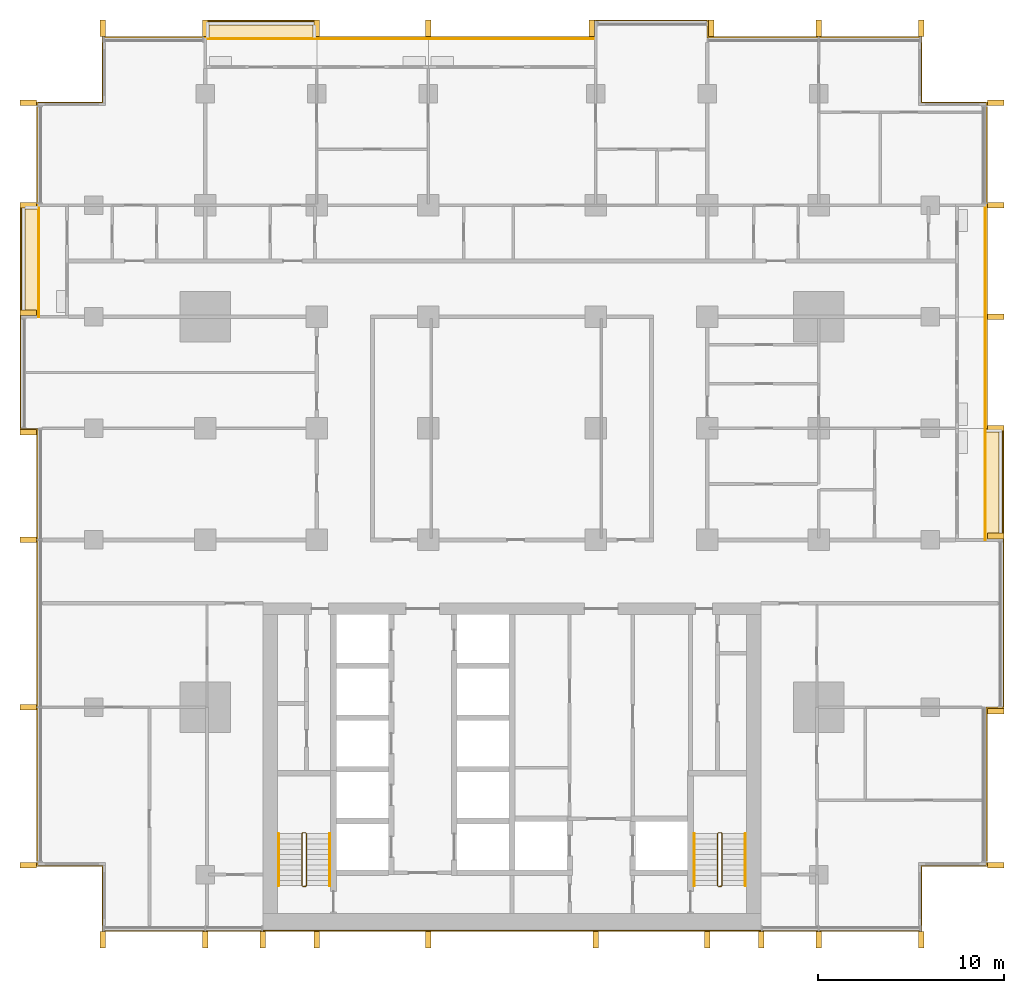
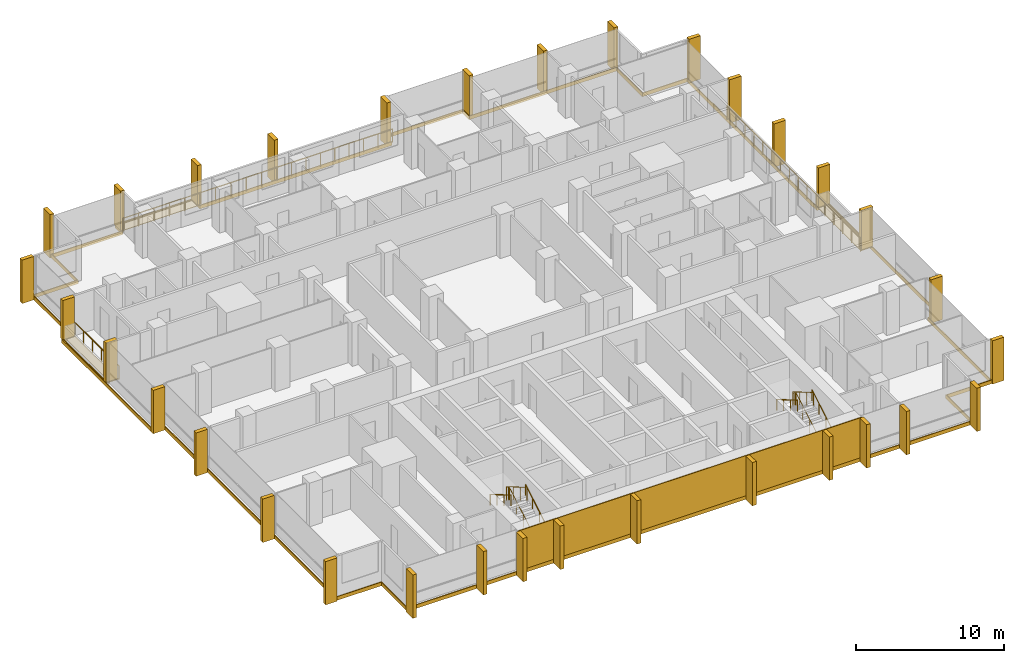
# One storey, part 17 of 17: 32 shading devices, 13 railings, 9 coverings.
"""IFC4 building model written with IfcOpenShell, lengths in metres."""

from ifc_helpers import new_model, si_unit, direction, frame, origin, origin_2d, place, context, subcontext, project, spatial, polyline, rectangle, circle, outline, extrude, material, layer, layer_set, type_object, element, save


model = new_model("IFC4")

# Units and contexts
model_context = context("Model", 3, precision=1e-05, world=origin(), true_north=direction((0.0, 1.0)))
body_context = subcontext(model_context, "Body", "Model", "MODEL_VIEW")
ifc_project = project(units=[si_unit("LENGTHUNIT", "METRE"), si_unit("AREAUNIT", "SQUARE_METRE"), si_unit("VOLUMEUNIT", "CUBIC_METRE"), si_unit("PLANEANGLEUNIT", "RADIAN"), si_unit("MASSUNIT", "GRAM", prefix="KILO")], contexts=[model_context])

# Site, building, storey
site_placement = place(None, origin())
site = spatial("IfcSite", under=ifc_project, at=site_placement, CompositionType="ELEMENT")
building_placement = place(site_placement, origin())
building = spatial("IfcBuilding", under=site, at=building_placement, Name="Finial Court Residences", CompositionType="ELEMENT")
storey_placement = place(building_placement, frame((0.0, 0.0, 95.5)))
storey = spatial("IfcBuildingStorey", under=building, at=storey_placement, Name="L23", CompositionType="ELEMENT", Elevation=95.5)

# Railings
ifc_material_1 = material(Name="Bronze anodised aluminium", Category="aluminium")
railing_type_1 = type_object("IfcRailingType", Name="Balcony guard 1100", PredefinedType="GUARDRAIL", material=ifc_material_1)
for number, where, name in (
    (1, (-16.5, 22.449951171875, 0.0), "E-L23-BALN2-R"),
    (2, (-10.5, 22.449951171875, 0.0), "E-L23-BALN3-R"),
):
    element("IfcRailing", number, at=place(storey_placement, frame(where)), inside=storey, type_object=railing_type_1, Name=name, PredefinedType="GUARDRAIL", context=body_context, shape_type="SweptSolid", body=[
        extrude(circle(Radius=0.02392578125, at=origin_2d()), frame((0.0, 0.0, 1.076171875), z_axis=(1.0, 0.0, 0.0), x_axis=(0.0, 1.0, 0.0)), (0.0, 0.0, 1.0), 6.0),
        extrude(circle(Radius=0.02099609375, at=origin_2d()), origin(), (0.0, 0.0, 1.0), 1.052001953125),
        extrude(circle(Radius=0.02099609375, at=origin_2d()), frame((1.199951171875, 0.0, 0.0)), (0.0, 0.0, 1.0), 1.052001953125),
        extrude(circle(Radius=0.02099609375, at=origin_2d()), frame((2.39990234375, 0.0, 0.0)), (0.0, 0.0, 1.0), 1.052001953125),
        extrude(circle(Radius=0.02099609375, at=origin_2d()), frame((3.60009765625, 0.0, 0.0)), (0.0, 0.0, 1.0), 1.052001953125),
        extrude(circle(Radius=0.02099609375, at=origin_2d()), frame((4.800048828125, 0.0, 0.0)), (0.0, 0.0, 1.0), 1.052001953125),
        extrude(circle(Radius=0.02099609375, at=origin_2d()), frame((6.0, 0.0, 0.0)), (0.0, 0.0, 1.0), 1.052001953125),
    ])
railing_1_placement = place(storey_placement, frame((-4.5, 22.449951171875, 0.0)))
element("IfcRailing", 3, at=railing_1_placement, inside=storey, type_object=railing_type_1, Name="E-L23-BALN4-R", PredefinedType="GUARDRAIL", context=body_context, shape_type="SweptSolid", body=[
    extrude(circle(Radius=0.02392578125, at=origin_2d()), frame((0.0, 0.0, 1.076171875), z_axis=(1.0, 0.0, 0.0), x_axis=(0.0, 1.0, 0.0)), (0.0, 0.0, 1.0), 9.0),
    extrude(circle(Radius=0.02099609375, at=origin_2d()), origin(), (0.0, 0.0, 1.0), 1.052001953125),
    extrude(circle(Radius=0.02099609375, at=origin_2d()), frame((1.125, 0.0, 0.0)), (0.0, 0.0, 1.0), 1.052001953125),
    extrude(circle(Radius=0.02099609375, at=origin_2d()), frame((2.25, 0.0, 0.0)), (0.0, 0.0, 1.0), 1.052001953125),
    extrude(circle(Radius=0.02099609375, at=origin_2d()), frame((3.375, 0.0, 0.0)), (0.0, 0.0, 1.0), 1.052001953125),
    extrude(circle(Radius=0.02099609375, at=origin_2d()), frame((4.5, 0.0, 0.0)), (0.0, 0.0, 1.0), 1.052001953125),
    extrude(circle(Radius=0.02099609375, at=origin_2d()), frame((5.625, 0.0, 0.0)), (0.0, 0.0, 1.0), 1.052001953125),
    extrude(circle(Radius=0.02099609375, at=origin_2d()), frame((6.75, 0.0, 0.0)), (0.0, 0.0, 1.0), 1.052001953125),
    extrude(circle(Radius=0.02099609375, at=origin_2d()), frame((7.875, 0.0, 0.0)), (0.0, 0.0, 1.0), 1.052001953125),
    extrude(circle(Radius=0.02099609375, at=origin_2d()), frame((9.0, 0.0, 0.0)), (0.0, 0.0, 1.0), 1.052001953125),
])
for number, where, name in (
    (4, (25.449951171875, -4.5, 0.0), "E-L23-BALE3-R"),
    (5, (25.449951171875, 1.5, 0.0), "E-L23-BALE4-R"),
    (6, (25.449951171875, 7.5, 0.0), "E-L23-BALE5-R"),
    (7, (-25.449951171875, 7.5, 0.0), "E-L23-BALW5-R"),
):
    element("IfcRailing", number, at=place(storey_placement, frame(where)), inside=storey, type_object=railing_type_1, Name=name, PredefinedType="GUARDRAIL", context=body_context, shape_type="SweptSolid", body=[
        extrude(circle(Radius=0.02392578125, at=origin_2d()), frame((0.0, 0.0, 1.076171875), z_axis=(0.0, 1.0, 0.0), x_axis=(-1.0, 0.0, 0.0)), (0.0, 0.0, 1.0), 6.0),
        extrude(circle(Radius=0.02099609375, at=origin_2d()), origin(), (0.0, 0.0, 1.0), 1.052001953125),
        extrude(circle(Radius=0.02099609375, at=origin_2d()), frame((0.0, 1.199951171875, 0.0)), (0.0, 0.0, 1.0), 1.052001953125),
        extrude(circle(Radius=0.02099609375, at=origin_2d()), frame((0.0, 2.39990234375, 0.0)), (0.0, 0.0, 1.0), 1.052001953125),
        extrude(circle(Radius=0.02099609375, at=origin_2d()), frame((0.0, 3.60009765625, 0.0)), (0.0, 0.0, 1.0), 1.052001953125),
        extrude(circle(Radius=0.02099609375, at=origin_2d()), frame((0.0, 4.800048828125, 0.0)), (0.0, 0.0, 1.0), 1.052001953125),
        extrude(circle(Radius=0.02099609375, at=origin_2d()), frame((0.0, 6.0, 0.0)), (0.0, 0.0, 1.0), 1.052001953125),
    ])

# Coverings
ifc_material_2 = material(Name="Natural limestone", Category="masonry")
ifc_layer_1 = layer(ifc_material_2, 0.06005859375)
ifc_layer_set_1 = layer_set([ifc_layer_1], Name="Limestone cladding to the blind core face 60")
covering_type_1 = type_object("IfcCoveringType", Name="Limestone cladding to the blind core face 60", PredefinedType="CLADDING", material=ifc_layer_set_1)
covering_1_placement = place(storey_placement, origin())
element("IfcCovering", 8, at=covering_1_placement, inside=storey, type_object=covering_type_1, Name="E-L23-CLAD1", PredefinedType="CLADDING", context=body_context, shape_type="SweptSolid", body=[
    extrude(outline(polyline([(-10.5, -25.56005859375), (-10.5, -25.5), (-13.39990234375, -25.5), (-13.39990234375, -25.56005859375), (-10.5, -25.56005859375)])), origin(), (0.0, 0.0, 1.0), 3.300048828125),
])
covering_2_placement = place(storey_placement, origin())
element("IfcCovering", 9, at=covering_2_placement, inside=storey, type_object=covering_type_1, Name="E-L23-CLAD2", PredefinedType="CLADDING", context=body_context, shape_type="SweptSolid", body=[
    extrude(outline(polyline([(-4.5, -25.56005859375), (-4.5, -25.5), (-10.5, -25.5), (-10.5, -25.56005859375), (-4.5, -25.56005859375)])), origin(), (0.0, 0.0, 1.0), 3.300048828125),
])
covering_3_placement = place(storey_placement, origin())
element("IfcCovering", 10, at=covering_3_placement, inside=storey, type_object=covering_type_1, Name="E-L23-CLAD3", PredefinedType="CLADDING", context=body_context, shape_type="SweptSolid", body=[
    extrude(outline(polyline([(4.5, -25.56005859375), (4.5, -25.5), (-4.5, -25.5), (-4.5, -25.56005859375), (4.5, -25.56005859375)])), origin(), (0.0, 0.0, 1.0), 3.300048828125),
])
covering_4_placement = place(storey_placement, origin())
element("IfcCovering", 11, at=covering_4_placement, inside=storey, type_object=covering_type_1, Name="E-L23-CLAD4", PredefinedType="CLADDING", context=body_context, shape_type="SweptSolid", body=[
    extrude(outline(polyline([(10.5, -25.56005859375), (10.5, -25.5), (4.5, -25.5), (4.5, -25.56005859375), (10.5, -25.56005859375)])), origin(), (0.0, 0.0, 1.0), 3.300048828125),
])
covering_5_placement = place(storey_placement, origin())
element("IfcCovering", 12, at=covering_5_placement, inside=storey, type_object=covering_type_1, Name="E-L23-CLAD5", PredefinedType="CLADDING", context=body_context, shape_type="SweptSolid", body=[
    extrude(outline(polyline([(13.39990234375, -25.56005859375), (13.39990234375, -25.5), (10.5, -25.5), (10.5, -25.56005859375), (13.39990234375, -25.56005859375)])), origin(), (0.0, 0.0, 1.0), 3.300048828125),
])

# Shading devices
shading_device_type = type_object("IfcShadingDeviceType", Name="Limestone fin 300 x 900", PredefinedType="USERDEFINED", material=ifc_material_2)
shading_device_1_placement = place(storey_placement, frame((-22.0, 23.010009765625, -0.300048828125), z_axis=(0.0, 0.0, 1.0), x_axis=(1.0, 0.0, 0.0)))
element("IfcShadingDevice", 13, at=shading_device_1_placement, inside=storey, type_object=shading_device_type, Name="E-L23-FIN-N1", ObjectType="FIN", PredefinedType="USERDEFINED", context=body_context, shape_type="SweptSolid", body=[
    extrude(rectangle(XDim=0.300048828125, YDim=0.89990234375, at=origin_2d()), origin(), (0.0, 0.0, 1.0), 3.580078125),
])
for number, where, z_axis, x_axis, name in (
    (14, (-16.5, 23.010009765625, 0.0400390625), (0.0, 0.0, 1.0), (1.0, 0.0, 0.0), "E-L23-FIN-N2"),
    (15, (-10.5, 23.010009765625, 0.0400390625), (0.0, 0.0, 1.0), (1.0, 0.0, 0.0), "E-L23-FIN-N3"),
):
    element("IfcShadingDevice", number, at=place(storey_placement, frame(where, z_axis=z_axis, x_axis=x_axis)), inside=storey, type_object=shading_device_type, Name=name, ObjectType="FIN", PredefinedType="USERDEFINED", context=body_context, shape_type="SweptSolid", body=[
        extrude(rectangle(XDim=0.300048828125, YDim=0.89990234375, at=origin_2d()), origin(), (0.0, 0.0, 1.0), 3.239990234375),
    ])
for number, where, z_axis, x_axis, name in (
    (16, (-4.5, 23.010009765625, -0.300048828125), (0.0, 0.0, 1.0), (1.0, 0.0, 0.0), "E-L23-FIN-N4"),
    (17, (4.2900390625, 23.010009765625, -0.300048828125), (0.0, 0.0, 1.0), (1.0, 0.0, 0.0), "E-L23-FIN-N5"),
    (18, (10.7099609375, 23.010009765625, -0.300048828125), (0.0, 0.0, 1.0), (1.0, 0.0, 0.0), "E-L23-FIN-N6"),
    (19, (16.5, 23.010009765625, -0.300048828125), (0.0, 0.0, 1.0), (1.0, 0.0, 0.0), "E-L23-FIN-N7"),
    (20, (22.0, 23.010009765625, -0.300048828125), (0.0, 0.0, 1.0), (1.0, 0.0, 0.0), "E-L23-FIN-N8"),
):
    element("IfcShadingDevice", number, at=place(storey_placement, frame(where, z_axis=z_axis, x_axis=x_axis)), inside=storey, type_object=shading_device_type, Name=name, ObjectType="FIN", PredefinedType="USERDEFINED", context=body_context, shape_type="SweptSolid", body=[
        extrude(rectangle(XDim=0.300048828125, YDim=0.89990234375, at=origin_2d()), origin(), (0.0, 0.0, 1.0), 3.580078125),
    ])
for number, where, z_axis, x_axis, name in (
    (21, (26.010009765625, -22.0, -0.300048828125), (0.0, 0.0, 1.0), (1.0, 0.0, 0.0), "E-L23-FIN-E9"),
    (22, (26.010009765625, -13.7099609375, -0.300048828125), (0.0, 0.0, 1.0), (1.0, 0.0, 0.0), "E-L23-FIN-E10"),
):
    element("IfcShadingDevice", number, at=place(storey_placement, frame(where, z_axis=z_axis, x_axis=x_axis)), inside=storey, type_object=shading_device_type, Name=name, ObjectType="FIN", PredefinedType="USERDEFINED", context=body_context, shape_type="SweptSolid", body=[
        extrude(rectangle(XDim=0.89990234375, YDim=0.300048828125, at=origin_2d()), origin(), (0.0, 0.0, 1.0), 3.580078125),
    ])
for number, where, z_axis, x_axis, name in (
    (23, (26.010009765625, -4.2900390625, 0.0400390625), (0.0, 0.0, 1.0), (1.0, 0.0, 0.0), "E-L23-FIN-E11"),
    (24, (26.010009765625, 1.5, 0.0400390625), (0.0, 0.0, 1.0), (1.0, 0.0, 0.0), "E-L23-FIN-E12"),
):
    element("IfcShadingDevice", number, at=place(storey_placement, frame(where, z_axis=z_axis, x_axis=x_axis)), inside=storey, type_object=shading_device_type, Name=name, ObjectType="FIN", PredefinedType="USERDEFINED", context=body_context, shape_type="SweptSolid", body=[
        extrude(rectangle(XDim=0.89990234375, YDim=0.300048828125, at=origin_2d()), origin(), (0.0, 0.0, 1.0), 3.239990234375),
    ])
for number, where, z_axis, x_axis, name in (
    (25, (26.010009765625, 7.5, -0.300048828125), (0.0, 0.0, 1.0), (1.0, 0.0, 0.0), "E-L23-FIN-E13"),
    (26, (26.010009765625, 13.5, -0.300048828125), (0.0, 0.0, 1.0), (1.0, 0.0, 0.0), "E-L23-FIN-E14"),
    (27, (26.010009765625, 19.0, -0.300048828125), (0.0, 0.0, 1.0), (1.0, 0.0, 0.0), "E-L23-FIN-E15"),
):
    element("IfcShadingDevice", number, at=place(storey_placement, frame(where, z_axis=z_axis, x_axis=x_axis)), inside=storey, type_object=shading_device_type, Name=name, ObjectType="FIN", PredefinedType="USERDEFINED", context=body_context, shape_type="SweptSolid", body=[
        extrude(rectangle(XDim=0.89990234375, YDim=0.300048828125, at=origin_2d()), origin(), (0.0, 0.0, 1.0), 3.580078125),
    ])
for number, where, z_axis, x_axis, name in (
    (28, (-22.0, -26.010009765625, -0.300048828125), (0.0, 0.0, 1.0), (1.0, 0.0, 0.0), "E-L23-FIN-S16"),
    (29, (-16.5, -26.010009765625, -0.300048828125), (0.0, 0.0, 1.0), (1.0, 0.0, 0.0), "E-L23-FIN-S17"),
    (30, (-13.39990234375, -26.010009765625, -0.300048828125), (0.0, 0.0, 1.0), (1.0, 0.0, 0.0), "E-L23-FIN-S18"),
    (31, (-10.5, -26.010009765625, -0.300048828125), (0.0, 0.0, 1.0), (1.0, 0.0, 0.0), "E-L23-FIN-S19"),
    (32, (-4.5, -26.010009765625, -0.300048828125), (0.0, 0.0, 1.0), (1.0, 0.0, 0.0), "E-L23-FIN-S20"),
    (33, (4.5, -26.010009765625, -0.300048828125), (0.0, 0.0, 1.0), (1.0, 0.0, 0.0), "E-L23-FIN-S21"),
    (34, (10.5, -26.010009765625, -0.300048828125), (0.0, 0.0, 1.0), (1.0, 0.0, 0.0), "E-L23-FIN-S22"),
    (35, (13.39990234375, -26.010009765625, -0.300048828125), (0.0, 0.0, 1.0), (1.0, 0.0, 0.0), "E-L23-FIN-S23"),
    (36, (16.5, -26.010009765625, -0.300048828125), (0.0, 0.0, 1.0), (1.0, 0.0, 0.0), "E-L23-FIN-S24"),
    (37, (22.0, -26.010009765625, -0.300048828125), (0.0, 0.0, 1.0), (1.0, 0.0, 0.0), "E-L23-FIN-S25"),
):
    element("IfcShadingDevice", number, at=place(storey_placement, frame(where, z_axis=z_axis, x_axis=x_axis)), inside=storey, type_object=shading_device_type, Name=name, ObjectType="FIN", PredefinedType="USERDEFINED", context=body_context, shape_type="SweptSolid", body=[
        extrude(rectangle(XDim=0.300048828125, YDim=0.89990234375, at=origin_2d()), origin(), (0.0, 0.0, 1.0), 3.580078125),
    ])
for number, where, z_axis, x_axis, name in (
    (38, (-26.010009765625, -22.0, -0.300048828125), (0.0, 0.0, 1.0), (1.0, 0.0, 0.0), "E-L23-FIN-W26"),
    (39, (-26.010009765625, -13.5, -0.300048828125), (0.0, 0.0, 1.0), (1.0, 0.0, 0.0), "E-L23-FIN-W27"),
    (40, (-26.010009765625, -4.5, -0.300048828125), (0.0, 0.0, 1.0), (1.0, 0.0, 0.0), "E-L23-FIN-W28"),
    (41, (-26.010009765625, 1.2900390625, -0.300048828125), (0.0, 0.0, 1.0), (1.0, 0.0, 0.0), "E-L23-FIN-W29"),
):
    element("IfcShadingDevice", number, at=place(storey_placement, frame(where, z_axis=z_axis, x_axis=x_axis)), inside=storey, type_object=shading_device_type, Name=name, ObjectType="FIN", PredefinedType="USERDEFINED", context=body_context, shape_type="SweptSolid", body=[
        extrude(rectangle(XDim=0.89990234375, YDim=0.300048828125, at=origin_2d()), origin(), (0.0, 0.0, 1.0), 3.580078125),
    ])
for number, where, z_axis, x_axis, name in (
    (42, (-26.010009765625, 7.7099609375, 0.0400390625), (0.0, 0.0, 1.0), (1.0, 0.0, 0.0), "E-L23-FIN-W30"),
    (43, (-26.010009765625, 13.5, 0.0400390625), (0.0, 0.0, 1.0), (1.0, 0.0, 0.0), "E-L23-FIN-W31"),
):
    element("IfcShadingDevice", number, at=place(storey_placement, frame(where, z_axis=z_axis, x_axis=x_axis)), inside=storey, type_object=shading_device_type, Name=name, ObjectType="FIN", PredefinedType="USERDEFINED", context=body_context, shape_type="SweptSolid", body=[
        extrude(rectangle(XDim=0.89990234375, YDim=0.300048828125, at=origin_2d()), origin(), (0.0, 0.0, 1.0), 3.239990234375),
    ])
shading_device_2_placement = place(storey_placement, frame((-26.010009765625, 19.0, -0.300048828125), z_axis=(0.0, 0.0, 1.0), x_axis=(1.0, 0.0, 0.0)))
element("IfcShadingDevice", 44, at=shading_device_2_placement, inside=storey, type_object=shading_device_type, Name="E-L23-FIN-W32", ObjectType="FIN", PredefinedType="USERDEFINED", context=body_context, shape_type="SweptSolid", body=[
    extrude(rectangle(XDim=0.89990234375, YDim=0.300048828125, at=origin_2d()), origin(), (0.0, 0.0, 1.0), 3.580078125),
])

# Coverings
ifc_material_3 = material(Name="Pale limestone", Category="masonry")
ifc_layer_2 = layer(ifc_material_3, 0.06005859375)
ifc_layer_set_2 = layer_set([ifc_layer_2], Name="Pale limestone slab-edge band 60")
covering_type_2 = type_object("IfcCoveringType", Name="Pale limestone slab-edge band 60", PredefinedType="CLADDING", material=ifc_layer_set_2)
covering_6_placement = place(storey_placement, frame((0.0, 0.0, -0.300048828125)))
element("IfcCovering", 45, at=covering_6_placement, inside=storey, type_object=covering_type_2, Name="E-L23-BAND1", PredefinedType="CLADDING", context=body_context, shape_type="SweptSolid", body=[
    extrude(outline(polyline([(-22.06005859375, -25.56005859375), (-22.06005859375, -22.06005859375), (-25.56005859375, -22.06005859375), (-25.56005859375, 1.43994140625), (-26.4599609375, 1.43994140625), (-26.4599609375, 13.56005859375), (-25.56005859375, 13.56005859375), (-25.56005859375, 19.06005859375), (-22.06005859375, 19.06005859375), (-22.06005859375, 22.56005859375), (-16.56005859375, 22.56005859375), (-16.56005859375, 23.4599609375), (-10.43994140625, 23.4599609375), (-10.43994140625, 22.56005859375), (4.43994140625, 22.56005859375), (4.43994140625, 23.4599609375), (10.56005859375, 23.4599609375), (10.56005859375, 22.56005859375), (22.06005859375, 22.56005859375), (22.06005859375, 19.06005859375), (25.56005859375, 19.06005859375), (25.56005859375, 1.56005859375), (26.4599609375, 1.56005859375), (26.4599609375, -13.56005859375), (25.56005859375, -13.56005859375), (25.56005859375, -22.06005859375), (22.06005859375, -22.06005859375), (22.06005859375, -25.56005859375), (-22.06005859375, -25.56005859375)]), holes=[polyline([(22.0, -22.0), (25.5, -22.0), (25.5, -13.5), (26.39990234375, -13.5), (26.39990234375, -4.5), (26.39990234375, 1.5), (25.5, 1.5), (25.5, 7.5), (25.5, 13.5), (25.5, 19.0), (22.0, 19.0), (22.0, 22.5), (10.5, 22.5), (10.5, 23.39990234375), (4.5, 23.39990234375), (4.5, 22.5), (-4.5, 22.5), (-10.5, 22.5), (-10.5, 23.39990234375), (-16.5, 23.39990234375), (-16.5, 22.5), (-22.0, 22.5), (-22.0, 19.0), (-25.5, 19.0), (-25.5, 13.5), (-26.39990234375, 13.5), (-26.39990234375, 7.5), (-26.39990234375, 1.5), (-25.5, 1.5), (-25.5, -22.0), (-22.0, -22.0), (-22.0, -25.5), (22.0, -25.5), (22.0, -22.0)])]), origin(), (0.0, 0.0, 1.0), 0.300048828125),
])
ifc_material_4 = material(Name="Bitumen membrane")
ifc_layer_3 = layer(ifc_material_4, 0.0400390625)
ifc_layer_set_3 = layer_set([ifc_layer_3], Name="Push box roofing, bitumen membrane 40")
covering_type_3 = type_object("IfcCoveringType", Name="Push box roofing, bitumen membrane 40", PredefinedType="ROOFING", material=ifc_layer_set_3)
covering_7_placement = place(storey_placement, origin())
element("IfcCovering", 46, at=covering_7_placement, inside=storey, type_object=covering_type_3, Name="E-L23-LED1", PredefinedType="ROOFING", context=body_context, shape_type="SweptSolid", body=[
    extrude(outline(polyline([(-26.39990234375, 7.5), (-26.39990234375, 13.5), (-25.5, 13.5), (-25.5, 7.5), (-26.39990234375, 7.5)]), holes=[polyline([(-26.35009765625, 13.449951171875), (-26.35009765625, 7.510009765625), (-26.199951171875, 7.510009765625), (-26.199951171875, 13.300048828125), (-25.510009765625, 13.300048828125), (-25.510009765625, 13.449951171875), (-26.199951171875, 13.449951171875), (-26.35009765625, 13.449951171875)])]), origin(), (0.0, 0.0, 1.0), 0.0400390625),
])
covering_8_placement = place(storey_placement, origin())
element("IfcCovering", 47, at=covering_8_placement, inside=storey, type_object=covering_type_3, Name="E-L23-LED2", PredefinedType="ROOFING", context=body_context, shape_type="SweptSolid", body=[
    extrude(outline(polyline([(-16.5, 22.5), (-16.5, 23.39990234375), (-10.5, 23.39990234375), (-10.5, 22.5), (-16.5, 22.5)]), holes=[polyline([(-10.550048828125, 22.510009765625), (-10.550048828125, 23.199951171875), (-10.550048828125, 23.35009765625), (-16.300048828125, 23.35009765625), (-16.300048828125, 23.35009765625), (-16.449951171875, 23.35009765625), (-16.449951171875, 22.510009765625), (-16.300048828125, 22.510009765625), (-16.300048828125, 23.199951171875), (-10.699951171875, 23.199951171875), (-10.699951171875, 22.510009765625), (-10.550048828125, 22.510009765625)])]), origin(), (0.0, 0.0, 1.0), 0.0400390625),
])
covering_9_placement = place(storey_placement, origin())
element("IfcCovering", 48, at=covering_9_placement, inside=storey, type_object=covering_type_3, Name="E-L23-LED3", PredefinedType="ROOFING", context=body_context, shape_type="SweptSolid", body=[
    extrude(outline(polyline([(25.5, -4.5), (25.5, 1.5), (26.39990234375, 1.5), (26.39990234375, -4.5), (25.5, -4.5)]), holes=[polyline([(26.35009765625, -4.489990234375), (26.35009765625, 1.300048828125), (26.35009765625, 1.300048828125), (26.35009765625, 1.449951171875), (25.510009765625, 1.449951171875), (25.510009765625, 1.300048828125), (26.199951171875, 1.300048828125), (26.199951171875, -4.489990234375), (26.35009765625, -4.489990234375)])]), origin(), (0.0, 0.0, 1.0), 0.0400390625),
])

# Railings
ifc_material_5 = material(Name="Stainless steel railing", Category="steel")
railing_type_2 = type_object("IfcRailingType", Name="Stair guard 1100", PredefinedType="GUARDRAIL", material=ifc_material_5)
railing_2_placement = place(storey_placement, frame((-11.10009765625, -23.14990234375, 0.0)))
element("IfcRailing", 49, at=railing_2_placement, inside=storey, type_object=railing_type_2, Name="L23 ST-1 stair guard 1", PredefinedType="GUARDRAIL", context=body_context, shape_type="SweptSolid", body=[
    extrude(circle(Radius=0.02392578125, at=origin_2d()), frame((0.0, 0.0, 1.076171875), z_axis=(-1.0, 0.0, 0.0), x_axis=(0.0, -1.0, 0.0)), (0.0, 0.0, 1.0), 0.14990234375),
    extrude(circle(Radius=0.02392578125, at=origin_2d()), frame((-0.14990234375, 0.0, 1.076171875), z_axis=(0.760004195007, 0.189305074214, 0.621737253547), x_axis=(-0.241699205484, 0.970351222016, 0.0)), (0.0, 0.0, 1.0), 0.26318359375),
    extrude(circle(Radius=0.02392578125, at=origin_2d()), frame((0.050048828125, 0.0498046875, 1.23974609375), z_axis=(0.0, 0.863360870873, 0.504586966384), x_axis=(-1.0, 0.0, 0.0)), (0.0, 0.0, 1.0), 3.2431640625),
    extrude(circle(Radius=0.02392578125, at=origin_2d()), frame((0.050048828125, 2.849853515625, 2.8759765625), z_axis=(-0.707106781187, 0.707106781187, 0.0), x_axis=(-0.707106781187, -0.707106781187, 0.0)), (0.0, 0.0, 1.0), 0.07080078125),
    extrude(circle(Radius=0.02392578125, at=origin_2d()), frame((0.0, 2.89990234375, 2.8759765625), z_axis=(-1.0, 0.0, 0.0), x_axis=(0.0, -1.0, 0.0)), (0.0, 0.0, 1.0), 0.14990234375),
    extrude(circle(Radius=0.02392578125, at=origin_2d()), frame((-0.14990234375, 2.89990234375, 2.8759765625), z_axis=(-0.280808744504, -0.280808744504, 0.917765164963), x_axis=(0.707106781187, -0.707106781187, 0.0)), (0.0, 0.0, 1.0), 0.17822265625),
    extrude(circle(Radius=0.02392578125, at=origin_2d()), frame((-0.199951171875, 2.849853515625, 3.03955078125), z_axis=(0.0, -0.863360870873, 0.504586966384), x_axis=(1.0, 0.0, 0.0)), (0.0, 0.0, 1.0), 3.2431640625),
    extrude(circle(Radius=0.02099609375, at=origin_2d()), origin(), (0.0, 0.0, 1.0), 1.052001953125),
    extrude(circle(Radius=0.02099609375, at=origin_2d()), frame((-0.14990234375, 0.0, 0.0)), (0.0, 0.0, 1.0), 1.052001953125),
    extrude(circle(Radius=0.02099609375, at=origin_2d()), frame((0.050048828125, 0.0498046875, 0.16357421875)), (0.0, 0.0, 1.0), 1.052001953125),
    extrude(circle(Radius=0.02099609375, at=origin_2d()), frame((0.050048828125, 0.983154296875, 0.708984375)), (0.0, 0.0, 1.0), 1.052001953125),
    extrude(circle(Radius=0.02099609375, at=origin_2d()), frame((0.050048828125, 1.91650390625, 1.254638671875)), (0.0, 0.0, 1.0), 1.052001953125),
    extrude(circle(Radius=0.02099609375, at=origin_2d()), frame((0.050048828125, 2.849853515625, 1.800048828125)), (0.0, 0.0, 1.0), 1.052001953125),
    extrude(circle(Radius=0.02099609375, at=origin_2d()), frame((0.0, 2.89990234375, 1.800048828125)), (0.0, 0.0, 1.0), 1.052001953125),
    extrude(circle(Radius=0.02099609375, at=origin_2d()), frame((-0.14990234375, 2.89990234375, 1.800048828125)), (0.0, 0.0, 1.0), 1.052001953125),
    extrude(circle(Radius=0.02099609375, at=origin_2d()), frame((-0.199951171875, 2.849853515625, 1.963623046875)), (0.0, 0.0, 1.0), 1.052001953125),
    extrude(circle(Radius=0.02099609375, at=origin_2d()), frame((-0.199951171875, 1.91650390625, 2.509033203125)), (0.0, 0.0, 1.0), 1.052001953125),
    extrude(circle(Radius=0.02099609375, at=origin_2d()), frame((-0.199951171875, 0.983154296875, 3.0546875)), (0.0, 0.0, 1.0), 1.052001953125),
    extrude(circle(Radius=0.02099609375, at=origin_2d()), frame((-0.199951171875, 0.0498046875, 3.60009765625)), (0.0, 0.0, 1.0), 1.052001953125),
])
railing_3_placement = place(storey_placement, frame((11.25, -23.14990234375, 0.0)))
element("IfcRailing", 50, at=railing_3_placement, inside=storey, type_object=railing_type_2, Name="L23 ST-2 stair guard 1", PredefinedType="GUARDRAIL", context=body_context, shape_type="SweptSolid", body=[
    extrude(circle(Radius=0.02392578125, at=origin_2d()), frame((0.0, 0.0, 1.076171875), z_axis=(-1.0, 0.0, 0.0), x_axis=(0.0, -1.0, 0.0)), (0.0, 0.0, 1.0), 0.14990234375),
    extrude(circle(Radius=0.02392578125, at=origin_2d()), frame((-0.14990234375, 0.0, 1.076171875), z_axis=(0.760004195007, 0.189305074214, 0.621737253547), x_axis=(-0.241699205484, 0.970351222016, 0.0)), (0.0, 0.0, 1.0), 0.26318359375),
    extrude(circle(Radius=0.02392578125, at=origin_2d()), frame((0.050048828125, 0.0498046875, 1.23974609375), z_axis=(0.0, 0.863360870873, 0.504586966384), x_axis=(-1.0, 0.0, 0.0)), (0.0, 0.0, 1.0), 3.2431640625),
    extrude(circle(Radius=0.02392578125, at=origin_2d()), frame((0.050048828125, 2.849853515625, 2.8759765625), z_axis=(-0.707106781187, 0.707106781187, 0.0), x_axis=(-0.707106781187, -0.707106781187, 0.0)), (0.0, 0.0, 1.0), 0.07080078125),
    extrude(circle(Radius=0.02392578125, at=origin_2d()), frame((0.0, 2.89990234375, 2.8759765625), z_axis=(-1.0, 0.0, 0.0), x_axis=(0.0, -1.0, 0.0)), (0.0, 0.0, 1.0), 0.14990234375),
    extrude(circle(Radius=0.02392578125, at=origin_2d()), frame((-0.14990234375, 2.89990234375, 2.8759765625), z_axis=(-0.280808744504, -0.280808744504, 0.917765164963), x_axis=(0.707106781187, -0.707106781187, 0.0)), (0.0, 0.0, 1.0), 0.17822265625),
    extrude(circle(Radius=0.02392578125, at=origin_2d()), frame((-0.199951171875, 2.849853515625, 3.03955078125), z_axis=(0.0, -0.863360870873, 0.504586966384), x_axis=(1.0, 0.0, 0.0)), (0.0, 0.0, 1.0), 3.2431640625),
    extrude(circle(Radius=0.02099609375, at=origin_2d()), origin(), (0.0, 0.0, 1.0), 1.052001953125),
    extrude(circle(Radius=0.02099609375, at=origin_2d()), frame((-0.14990234375, 0.0, 0.0)), (0.0, 0.0, 1.0), 1.052001953125),
    extrude(circle(Radius=0.02099609375, at=origin_2d()), frame((0.050048828125, 0.0498046875, 0.16357421875)), (0.0, 0.0, 1.0), 1.052001953125),
    extrude(circle(Radius=0.02099609375, at=origin_2d()), frame((0.050048828125, 0.983154296875, 0.708984375)), (0.0, 0.0, 1.0), 1.052001953125),
    extrude(circle(Radius=0.02099609375, at=origin_2d()), frame((0.050048828125, 1.91650390625, 1.254638671875)), (0.0, 0.0, 1.0), 1.052001953125),
    extrude(circle(Radius=0.02099609375, at=origin_2d()), frame((0.050048828125, 2.849853515625, 1.800048828125)), (0.0, 0.0, 1.0), 1.052001953125),
    extrude(circle(Radius=0.02099609375, at=origin_2d()), frame((0.0, 2.89990234375, 1.800048828125)), (0.0, 0.0, 1.0), 1.052001953125),
    extrude(circle(Radius=0.02099609375, at=origin_2d()), frame((-0.14990234375, 2.89990234375, 1.800048828125)), (0.0, 0.0, 1.0), 1.052001953125),
    extrude(circle(Radius=0.02099609375, at=origin_2d()), frame((-0.199951171875, 2.849853515625, 1.963623046875)), (0.0, 0.0, 1.0), 1.052001953125),
    extrude(circle(Radius=0.02099609375, at=origin_2d()), frame((-0.199951171875, 1.91650390625, 2.509033203125)), (0.0, 0.0, 1.0), 1.052001953125),
    extrude(circle(Radius=0.02099609375, at=origin_2d()), frame((-0.199951171875, 0.983154296875, 3.0546875)), (0.0, 0.0, 1.0), 1.052001953125),
    extrude(circle(Radius=0.02099609375, at=origin_2d()), frame((-0.199951171875, 0.0498046875, 3.60009765625)), (0.0, 0.0, 1.0), 1.052001953125),
])
railing_type_3 = type_object("IfcRailingType", Name="Stair handrail 900", PredefinedType="HANDRAIL", material=ifc_material_5)
railing_4_placement = place(storey_placement, frame((-9.800048828125, -23.10009765625, 0.16357421875)))
element("IfcRailing", 51, at=railing_4_placement, inside=storey, type_object=railing_type_3, Name="L23 ST-1 stair handrail 1", PredefinedType="HANDRAIL", context=body_context, shape_type="SweptSolid", body=[
    extrude(circle(Radius=0.02392578125, at=origin_2d()), frame((0.0, 0.0, 0.8759765625), z_axis=(0.0, 0.863360870873, 0.504586966384), x_axis=(-1.0, 0.0, 0.0)), (0.0, 0.0, 1.0), 3.2431640625),
    extrude(circle(Radius=0.02099609375, at=origin_2d()), origin(), (0.0, 0.0, 1.0), 0.851806640625),
    extrude(circle(Radius=0.02099609375, at=origin_2d()), frame((0.0, 0.933349609375, 0.54541015625)), (0.0, 0.0, 1.0), 0.851806640625),
    extrude(circle(Radius=0.02099609375, at=origin_2d()), frame((0.0, 1.86669921875, 1.091064453125)), (0.0, 0.0, 1.0), 0.851806640625),
    extrude(circle(Radius=0.02099609375, at=origin_2d()), frame((0.0, 2.800048828125, 1.636474609375)), (0.0, 0.0, 1.0), 0.851806640625),
])
railing_5_placement = place(storey_placement, frame((-12.550048828125, -20.300048828125, 1.963623046875)))
element("IfcRailing", 52, at=railing_5_placement, inside=storey, type_object=railing_type_3, Name="L23 ST-1 stair handrail 2", PredefinedType="HANDRAIL", context=body_context, shape_type="SweptSolid", body=[
    extrude(circle(Radius=0.02392578125, at=origin_2d()), frame((0.0, 0.0, 0.8759765625), z_axis=(0.0, -0.863360870873, 0.504586966384), x_axis=(1.0, 0.0, 0.0)), (0.0, 0.0, 1.0), 3.2431640625),
    extrude(circle(Radius=0.02099609375, at=origin_2d()), origin(), (0.0, 0.0, 1.0), 0.851806640625),
    extrude(circle(Radius=0.02099609375, at=origin_2d()), frame((0.0, -0.933349609375, 0.54541015625)), (0.0, 0.0, 1.0), 0.851806640625),
    extrude(circle(Radius=0.02099609375, at=origin_2d()), frame((0.0, -1.86669921875, 1.091064453125)), (0.0, 0.0, 1.0), 0.851806640625),
    extrude(circle(Radius=0.02099609375, at=origin_2d()), frame((0.0, -2.800048828125, 1.636474609375)), (0.0, 0.0, 1.0), 0.851806640625),
])
railing_6_placement = place(storey_placement, frame((12.550048828125, -23.10009765625, 0.16357421875)))
element("IfcRailing", 53, at=railing_6_placement, inside=storey, type_object=railing_type_3, Name="L23 ST-2 stair handrail 1", PredefinedType="HANDRAIL", context=body_context, shape_type="SweptSolid", body=[
    extrude(circle(Radius=0.02392578125, at=origin_2d()), frame((0.0, 0.0, 0.8759765625), z_axis=(0.0, 0.863360870873, 0.504586966384), x_axis=(-1.0, 0.0, 0.0)), (0.0, 0.0, 1.0), 3.2431640625),
    extrude(circle(Radius=0.02099609375, at=origin_2d()), origin(), (0.0, 0.0, 1.0), 0.851806640625),
    extrude(circle(Radius=0.02099609375, at=origin_2d()), frame((0.0, 0.933349609375, 0.54541015625)), (0.0, 0.0, 1.0), 0.851806640625),
    extrude(circle(Radius=0.02099609375, at=origin_2d()), frame((0.0, 1.86669921875, 1.091064453125)), (0.0, 0.0, 1.0), 0.851806640625),
    extrude(circle(Radius=0.02099609375, at=origin_2d()), frame((0.0, 2.800048828125, 1.636474609375)), (0.0, 0.0, 1.0), 0.851806640625),
])
railing_7_placement = place(storey_placement, frame((9.800048828125, -20.300048828125, 1.963623046875)))
element("IfcRailing", 54, at=railing_7_placement, inside=storey, type_object=railing_type_3, Name="L23 ST-2 stair handrail 2", PredefinedType="HANDRAIL", context=body_context, shape_type="SweptSolid", body=[
    extrude(circle(Radius=0.02392578125, at=origin_2d()), frame((0.0, 0.0, 0.8759765625), z_axis=(0.0, -0.863360870873, 0.504586966384), x_axis=(1.0, 0.0, 0.0)), (0.0, 0.0, 1.0), 3.2431640625),
    extrude(circle(Radius=0.02099609375, at=origin_2d()), origin(), (0.0, 0.0, 1.0), 0.851806640625),
    extrude(circle(Radius=0.02099609375, at=origin_2d()), frame((0.0, -0.933349609375, 0.54541015625)), (0.0, 0.0, 1.0), 0.851806640625),
    extrude(circle(Radius=0.02099609375, at=origin_2d()), frame((0.0, -1.86669921875, 1.091064453125)), (0.0, 0.0, 1.0), 0.851806640625),
    extrude(circle(Radius=0.02099609375, at=origin_2d()), frame((0.0, -2.800048828125, 1.636474609375)), (0.0, 0.0, 1.0), 0.851806640625),
])

save(model, "model.ifc")
